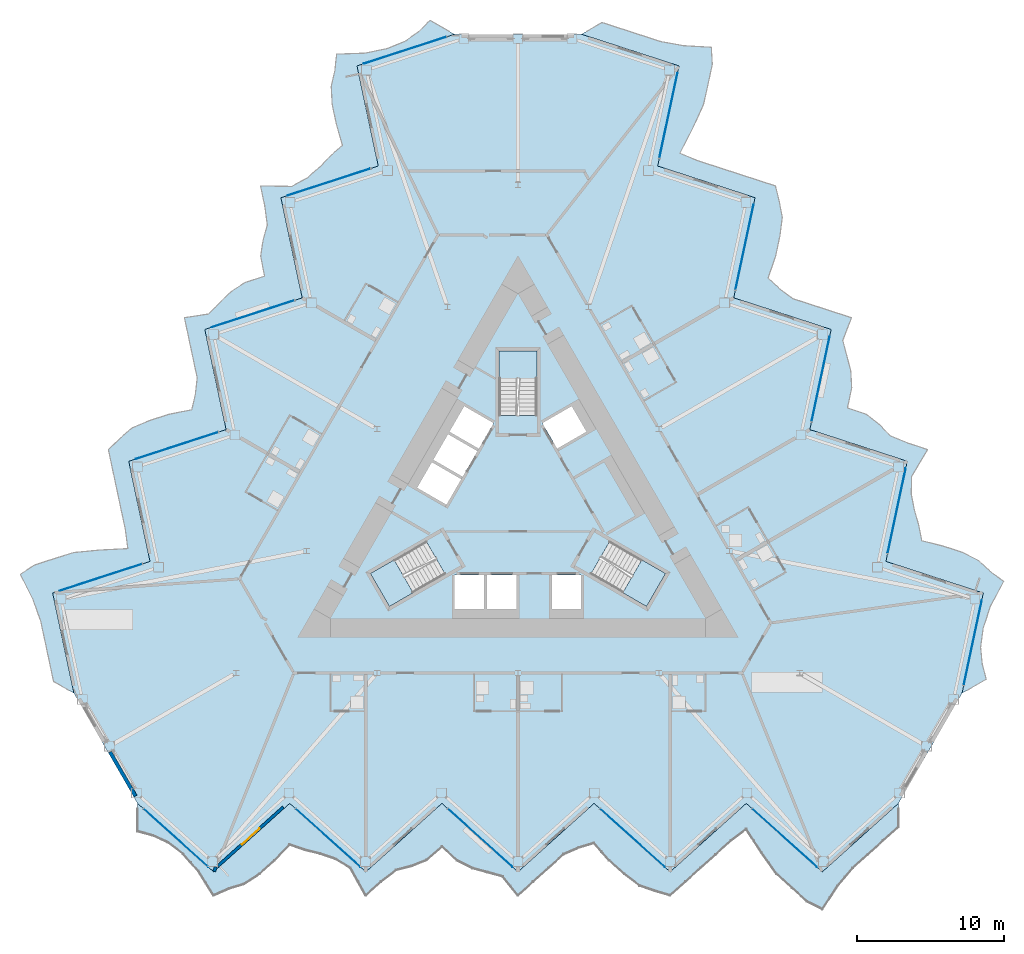
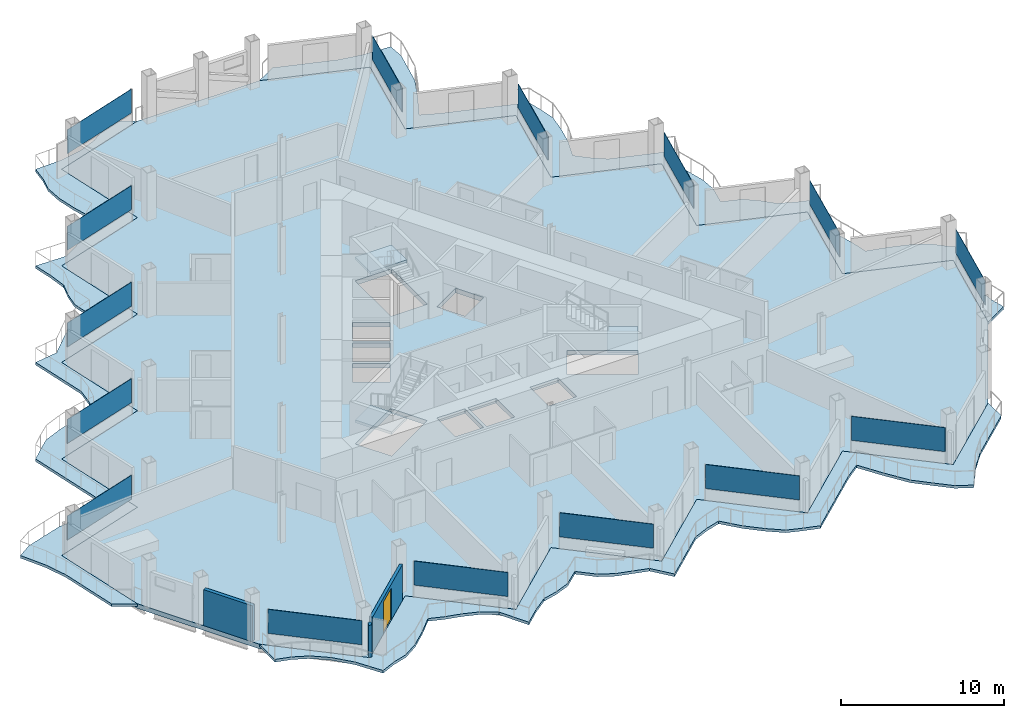
# One storey, part 10 of 24: 15 plates, 7 slabs, 3 walls, 1 door, 1 opening, 18 elements without a shape of their own.
"""IFC4 building model written with IfcOpenShell, lengths in metres."""

from ifc_helpers import new_model, si_unit, direction, frame, frame_2d, origin, origin_2d, place, context, subcontext, project, spatial, polyline, rectangle, outline, extrude, material, layer, layer_set, type_object, element, fill, aggregate, save


model = new_model("IFC4")

# Units and contexts
model_context = context("Model", 3, precision=1e-05, world=origin(), true_north=direction((0.0, 1.0)))
body_context = subcontext(model_context, "Body", "Model", "MODEL_VIEW")
ifc_project = project(units=[si_unit("LENGTHUNIT", "METRE"), si_unit("AREAUNIT", "SQUARE_METRE"), si_unit("VOLUMEUNIT", "CUBIC_METRE"), si_unit("PLANEANGLEUNIT", "RADIAN"), si_unit("MASSUNIT", "GRAM", prefix="KILO")], contexts=[model_context])

# Site, building, storey
site_placement = place(None, origin())
site = spatial("IfcSite", under=ifc_project, at=site_placement, CompositionType="ELEMENT")
building_placement = place(site_placement, origin())
building = spatial("IfcBuilding", under=site, at=building_placement, Name="Cormorant Prow Tower", CompositionType="ELEMENT")
storey_placement = place(building_placement, frame((0.0, 0.0, 238.199951171875)))
storey = spatial("IfcBuildingStorey", under=building, at=storey_placement, Name="L52", CompositionType="ELEMENT", Elevation=238.199951171875)

# Slabs
ifc_material_1 = material(Name="Concrete C40/50", Category="concrete")
ifc_layer_1 = layer(ifc_material_1, 0.199951171875)
ifc_layer_set_1 = layer_set([ifc_layer_1], Name="Concrete C40/50")
slab_type_1 = type_object("IfcSlabType", Name="Balcony slab 200", PredefinedType="FLOOR", material=ifc_layer_set_1)
slab_1_placement = place(storey_placement, frame((0.0, 0.0, -0.199951171875)))
element("IfcSlab", 1, at=slab_1_placement, inside=storey, type_object=slab_type_1, Name="Balcony slab S L52", PredefinedType="FLOOR", context=body_context, shape_type="SweptSolid", body=[
    extrude(outline(polyline([(-25.859619140625, -19.9228515625), (-25.859619140625, -21.82275390625), (-24.8251953125, -22.1044921875), (-23.790771484375, -22.575439453125), (-22.75634765625, -23.369873046875), (-21.721923828125, -24.52783203125), (-20.6875, -26.1796875), (-19.6533203125, -25.72021484375), (-18.618896484375, -25.407470703125), (-17.58447265625, -24.735595703125), (-16.550048828125, -23.80419921875), (-15.515625, -22.734375), (-14.4814453125, -23.08837890625), (-13.447021484375, -23.344970703125), (-12.41259765625, -23.700927734375), (-11.378173828125, -24.32373046875), (-10.34375, -26.1796875), (-9.309326171875, -25.248291015625), (-8.275146484375, -24.45166015625), (-7.24072265625, -24.1884765625), (-6.206298828125, -23.778564453125), (-5.171875, -22.872802734375), (-4.137451171875, -23.80419921875), (-3.10302734375, -24.32958984375), (-2.06884765625, -24.6103515625), (-1.034423828125, -24.892822265625), (0.0, -26.1796875), (1.034423828125, -25.248291015625), (2.06884765625, -24.31689453125), (3.10302734375, -23.385498046875), (4.137451171875, -22.932861328125), (5.171875, -22.618408203125), (6.206298828125, -23.80419921875), (7.24072265625, -24.735595703125), (8.275146484375, -25.52392578125), (9.309326171875, -25.8759765625), (10.34375, -26.1796875), (11.378173828125, -25.248291015625), (12.41259765625, -24.31689453125), (13.447021484375, -23.385498046875), (14.4814453125, -22.4541015625), (15.515625, -21.6640625), (16.550048828125, -23.26318359375), (17.58447265625, -24.7138671875), (18.618896484375, -25.6669921875), (19.6533203125, -26.598388671875), (20.6875, -27.117919921875), (21.721923828125, -25.534912109375), (22.75634765625, -24.31689453125), (23.790771484375, -23.385498046875), (24.8251953125, -22.4541015625), (25.859619140625, -21.52294921875), (25.859619140625, -19.9228515625), (24.8251953125, -20.854248046875), (23.790771484375, -21.78564453125), (22.75634765625, -22.717041015625), (21.721923828125, -23.648193359375), (20.6875, -24.57958984375), (19.6533203125, -23.648193359375), (18.618896484375, -22.717041015625), (17.58447265625, -21.78564453125), (16.550048828125, -20.854248046875), (15.515625, -19.9228515625), (14.4814453125, -20.854248046875), (13.447021484375, -21.78564453125), (12.41259765625, -22.717041015625), (11.378173828125, -23.648193359375), (10.34375, -24.57958984375), (9.309326171875, -23.648193359375), (8.275146484375, -22.717041015625), (7.24072265625, -21.78564453125), (6.206298828125, -20.854248046875), (5.171875, -19.9228515625), (4.137451171875, -20.854248046875), (3.10302734375, -21.78564453125), (2.06884765625, -22.717041015625), (1.034423828125, -23.648193359375), (0.0, -24.57958984375), (-1.034423828125, -23.648193359375), (-2.06884765625, -22.717041015625), (-3.10302734375, -21.78564453125), (-4.137451171875, -20.854248046875), (-5.171875, -19.9228515625), (-6.206298828125, -20.854248046875), (-7.24072265625, -21.78564453125), (-8.275146484375, -22.717041015625), (-9.309326171875, -23.648193359375), (-10.34375, -24.57958984375), (-11.378173828125, -23.648193359375), (-12.41259765625, -22.717041015625), (-13.447021484375, -21.78564453125), (-14.4814453125, -20.854248046875), (-15.515625, -19.9228515625), (-16.550048828125, -20.854248046875), (-17.58447265625, -21.78564453125), (-18.618896484375, -22.717041015625), (-19.6533203125, -23.648193359375), (-20.6875, -24.57958984375), (-21.721923828125, -23.648193359375), (-22.75634765625, -22.717041015625), (-23.790771484375, -21.78564453125), (-24.8251953125, -20.854248046875), (-25.859619140625, -19.9228515625)])), origin(), (0.0, 0.0, 1.0), 0.199951171875),
])
slab_2_placement = place(storey_placement, frame((0.0, 0.0, -0.199951171875)))
element("IfcSlab", 2, at=slab_2_placement, inside=storey, type_object=slab_type_1, Name="Balcony slab ENE L52", PredefinedType="FLOOR", context=body_context, shape_type="SweptSolid", body=[
    extrude(outline(polyline([(30.183349609375, -12.43359375), (31.828857421875, -11.483642578125), (31.5556640625, -10.447021484375), (31.4462890625, -9.315673828125), (31.6171875, -8.022705078125), (32.1025390625, -6.5478515625), (33.01611328125, -4.826171875), (32.10107421875, -4.16015625), (31.312744140625, -3.420654296875), (30.2138671875, -2.86083984375), (28.89013671875, -2.4306640625), (27.446533203125, -2.06982421875), (27.23583984375, -0.9970703125), (26.94091796875, 0.027099609375), (26.731689453125, 1.100830078125), (26.75390625, 2.30810546875), (27.84423828125, 4.1318359375), (26.520263671875, 4.56201171875), (25.313232421875, 5.059326171875), (24.568115234375, 5.823486328125), (23.696044921875, 6.514404296875), (22.39453125, 6.95751953125), (22.683837890625, 8.31884765625), (22.62158203125, 9.477294921875), (22.347412109375, 10.513427734375), (22.074951171875, 11.550537109375), (22.67236328125, 13.08984375), (21.348388671875, 13.52001953125), (20.024658203125, 13.949951171875), (18.700927734375, 14.380126953125), (17.79150390625, 15.049560546875), (17.002197265625, 15.788330078125), (17.511962890625, 17.27685546875), (17.80126953125, 18.638427734375), (17.966796875, 19.928466796875), (17.754638671875, 21.000244140625), (17.500244140625, 22.0478515625), (16.176513671875, 22.47802734375), (14.852783203125, 22.907958984375), (13.529052734375, 23.338134765625), (12.205322265625, 23.768310546875), (11.00390625, 24.26904296875), (11.871337890625, 25.96435546875), (12.610595703125, 27.58544921875), (12.918701171875, 28.957763671875), (13.208251953125, 30.3193359375), (13.14111328125, 31.474853515625), (11.2529296875, 31.579345703125), (9.680908203125, 31.865966796875), (8.357177734375, 32.296142578125), (7.033447265625, 32.726318359375), (5.70947265625, 33.156494140625), (4.323974609375, 32.3564453125), (5.647705078125, 31.92626953125), (6.971435546875, 31.49609375), (8.295166015625, 31.066162109375), (9.619140625, 30.635986328125), (10.94287109375, 30.205810546875), (10.6533203125, 28.84423828125), (10.364013671875, 27.48291015625), (10.07470703125, 26.121337890625), (9.78515625, 24.760009765625), (9.495849609375, 23.3984375), (10.819580078125, 22.96826171875), (12.143310546875, 22.5380859375), (13.467041015625, 22.108154296875), (14.791015625, 21.677978515625), (16.11474609375, 21.247802734375), (15.8251953125, 19.88623046875), (15.535888671875, 18.52490234375), (15.24658203125, 17.163330078125), (14.95703125, 15.802001953125), (14.667724609375, 14.4404296875), (15.991455078125, 14.01025390625), (17.315185546875, 13.580078125), (18.63916015625, 13.150146484375), (19.962890625, 12.719970703125), (21.28662109375, 12.289794921875), (20.997314453125, 10.928466796875), (20.707763671875, 9.56689453125), (20.41845703125, 8.205322265625), (20.129150390625, 6.843994140625), (19.839599609375, 5.482421875), (21.163330078125, 5.05224609375), (22.4873046875, 4.6220703125), (23.81103515625, 4.192138671875), (25.134765625, 3.761962890625), (26.45849609375, 3.331787109375), (26.169189453125, 1.970458984375), (25.879638671875, 0.60888671875), (25.59033203125, -0.752685546875), (25.301025390625, -2.114013671875), (25.011474609375, -3.4755859375), (26.335205078125, -3.90576171875), (27.6591796875, -4.335693359375), (28.98291015625, -4.765869140625), (30.306640625, -5.196044921875), (31.63037109375, -5.626220703125), (31.341064453125, -6.987548828125), (31.051513671875, -8.34912109375), (30.76220703125, -9.710693359375), (30.472900390625, -11.072021484375), (30.183349609375, -12.43359375)])), origin(), (0.0, 0.0, 1.0), 0.199951171875),
])
slab_3_placement = place(storey_placement, frame((0.0, 0.0, -0.199951171875)))
element("IfcSlab", 3, at=slab_3_placement, inside=storey, type_object=slab_type_1, Name="Balcony slab WNW L52", PredefinedType="FLOOR", context=body_context, shape_type="SweptSolid", body=[
    extrude(outline(polyline([(-4.323974609375, 32.3564453125), (-5.969482421875, 33.306396484375), (-6.73046875, 32.551513671875), (-7.655517578125, 31.89111328125), (-8.86083984375, 31.392578125), (-10.380615234375, 31.07568359375), (-12.328369140625, 31.005859375), (-12.44775390625, 29.88037109375), (-12.694091796875, 28.828125), (-12.62939453125, 27.596435546875), (-12.340087890625, 26.23486328125), (-11.9306640625, 24.80419921875), (-12.75439453125, 24.08544921875), (-13.493896484375, 23.31787109375), (-14.3193359375, 22.60009765625), (-15.375732421875, 22.015625), (-17.500244140625, 22.0478515625), (-17.2109375, 20.686279296875), (-17.0380859375, 19.39208984375), (-17.327392578125, 18.36474609375), (-17.48974609375, 17.26416015625), (-17.222412109375, 15.91552734375), (-18.54638671875, 15.4853515625), (-19.5185546875, 14.852294921875), (-20.27880859375, 14.0966796875), (-21.040771484375, 13.34228515625), (-22.67236328125, 13.08984375), (-22.3828125, 11.728271484375), (-22.093505859375, 10.366943359375), (-21.803955078125, 9.00537109375), (-21.92919921875, 7.88330078125), (-22.174072265625, 6.830322265625), (-23.71826171875, 6.52734375), (-25.0419921875, 6.09716796875), (-26.241943359375, 5.595458984375), (-27.06396484375, 4.875732421875), (-27.84423828125, 4.1318359375), (-27.5546875, 2.770263671875), (-27.265380859375, 1.408935546875), (-26.97607421875, 0.04736328125), (-26.6865234375, -1.314208984375), (-26.51953125, -2.60498046875), (-28.42138671875, -2.701171875), (-30.195068359375, -2.871826171875), (-31.53759765625, -3.291015625), (-32.861328125, -3.720947265625), (-33.82861328125, -4.35693359375), (-32.974853515625, -6.04443359375), (-32.437255859375, -7.549072265625), (-32.14794921875, -8.91064453125), (-31.8583984375, -10.27197265625), (-31.569091796875, -11.633544921875), (-30.183349609375, -12.43359375), (-30.472900390625, -11.072021484375), (-30.76220703125, -9.710693359375), (-31.051513671875, -8.34912109375), (-31.341064453125, -6.987548828125), (-31.63037109375, -5.626220703125), (-30.306640625, -5.196044921875), (-28.98291015625, -4.765869140625), (-27.6591796875, -4.335693359375), (-26.335205078125, -3.90576171875), (-25.011474609375, -3.4755859375), (-25.301025390625, -2.114013671875), (-25.59033203125, -0.752685546875), (-25.879638671875, 0.60888671875), (-26.169189453125, 1.970458984375), (-26.45849609375, 3.331787109375), (-25.134765625, 3.761962890625), (-23.81103515625, 4.192138671875), (-22.4873046875, 4.6220703125), (-21.163330078125, 5.05224609375), (-19.839599609375, 5.482421875), (-20.129150390625, 6.843994140625), (-20.41845703125, 8.205322265625), (-20.707763671875, 9.56689453125), (-20.997314453125, 10.928466796875), (-21.28662109375, 12.289794921875), (-19.962890625, 12.719970703125), (-18.63916015625, 13.150146484375), (-17.315185546875, 13.580078125), (-15.991455078125, 14.01025390625), (-14.667724609375, 14.4404296875), (-14.95703125, 15.802001953125), (-15.24658203125, 17.163330078125), (-15.535888671875, 18.52490234375), (-15.8251953125, 19.88623046875), (-16.11474609375, 21.247802734375), (-14.791015625, 21.677978515625), (-13.467041015625, 22.108154296875), (-12.143310546875, 22.5380859375), (-10.819580078125, 22.96826171875), (-9.495849609375, 23.3984375), (-9.78515625, 24.760009765625), (-10.07470703125, 26.121337890625), (-10.364013671875, 27.48291015625), (-10.6533203125, 28.84423828125), (-10.94287109375, 30.205810546875), (-9.619140625, 30.635986328125), (-8.295166015625, 31.066162109375), (-6.971435546875, 31.49609375), (-5.647705078125, 31.92626953125), (-4.323974609375, 32.3564453125)])), origin(), (0.0, 0.0, 1.0), 0.199951171875),
])

# Curtain wall, plate
ifc_material_2 = material(Name="Aluminium 6063-T6", Category="aluminium")
ifc_layer_2 = layer(ifc_material_2, 0.179931640625)
ifc_layer_set_2 = layer_set([ifc_layer_2], Name="Aluminium 6063-T6")
curtain_wall_type = type_object("IfcCurtainWallType", Name="Hotel unitised curtain wall 180", PredefinedType="NOTDEFINED", material=ifc_layer_set_2)
curtain_wall_1_placement = place(storey_placement, origin())
curtain_wall_1 = element("IfcCurtainWall", 4, at=curtain_wall_1_placement, inside=storey, type_object=curtain_wall_type, Name="Hotel curtain wall S00", PredefinedType="NOTDEFINED")
ifc_material_3 = material(Name="Clear glass", Category="glass")
ifc_layer_3 = layer(ifc_material_3, 0.028076171875)
ifc_layer_set_3 = layer_set([ifc_layer_3], Name="Clear glass")
plate_type = type_object("IfcPlateType", Name="Hotel glass panel 28", PredefinedType="CURTAIN_PANEL", material=ifc_layer_set_3)
plate_1_placement = place(storey_placement, frame((-23.251220703125, -22.271240234375, 0.900146484375), z_axis=(0.0, 0.0, 1.0), x_axis=(0.743144795265, -0.669130639913, 0.0)))
plate_1 = element("IfcPlate", 5, at=plate_1_placement, type_object=plate_type, Name="Hotel glass panel S00", PredefinedType="CURTAIN_PANEL", context=body_context, shape_type="SweptSolid", body=[
    extrude(rectangle(XDim=5.8974609375, YDim=0.028076171875, at=origin_2d()), origin(), (0.0, 0.0, 1.0), 1.80078125),
])
aggregate(curtain_wall_1, [plate_1])

curtain_wall_2_placement = place(storey_placement, origin())
curtain_wall_2 = element("IfcCurtainWall", 6, at=curtain_wall_2_placement, inside=storey, type_object=curtain_wall_type, Name="Hotel curtain wall S02", PredefinedType="NOTDEFINED")
plate_2_placement = place(storey_placement, frame((-12.907470703125, -22.271240234375, 0.900146484375), z_axis=(0.0, 0.0, 1.0), x_axis=(0.743144795265, -0.669130639913, 0.0)))
plate_2 = element("IfcPlate", 7, at=plate_2_placement, type_object=plate_type, Name="Hotel glass panel S02", PredefinedType="CURTAIN_PANEL", context=body_context, shape_type="SweptSolid", body=[
    extrude(rectangle(XDim=5.8974609375, YDim=0.028076171875, at=origin_2d()), origin(), (0.0, 0.0, 1.0), 1.80078125),
])
aggregate(curtain_wall_2, [plate_2])

curtain_wall_3_placement = place(storey_placement, origin())
curtain_wall_3 = element("IfcCurtainWall", 8, at=curtain_wall_3_placement, inside=storey, type_object=curtain_wall_type, Name="Hotel curtain wall S04", PredefinedType="NOTDEFINED")
plate_3_placement = place(storey_placement, frame((-2.563720703125, -22.271240234375, 0.900146484375), z_axis=(0.0, 0.0, 1.0), x_axis=(0.74314485959, -0.669130568473, 0.0)))
plate_3 = element("IfcPlate", 9, at=plate_3_placement, type_object=plate_type, Name="Hotel glass panel S04", PredefinedType="CURTAIN_PANEL", context=body_context, shape_type="SweptSolid", body=[
    extrude(rectangle(XDim=5.8974609375, YDim=0.028076171875, at=origin_2d()), origin(), (0.0, 0.0, 1.0), 1.80078125),
])
aggregate(curtain_wall_3, [plate_3])

curtain_wall_4_placement = place(storey_placement, origin())
curtain_wall_4 = element("IfcCurtainWall", 10, at=curtain_wall_4_placement, inside=storey, type_object=curtain_wall_type, Name="Hotel curtain wall S06", PredefinedType="NOTDEFINED")
plate_4_placement = place(storey_placement, frame((7.780029296875, -22.271240234375, 0.900146484375), z_axis=(0.0, 0.0, 1.0), x_axis=(0.743144795265, -0.669130639913, 0.0)))
plate_4 = element("IfcPlate", 11, at=plate_4_placement, type_object=plate_type, Name="Hotel glass panel S06", PredefinedType="CURTAIN_PANEL", context=body_context, shape_type="SweptSolid", body=[
    extrude(rectangle(XDim=5.8974609375, YDim=0.028076171875, at=origin_2d()), origin(), (0.0, 0.0, 1.0), 1.80078125),
])
aggregate(curtain_wall_4, [plate_4])

curtain_wall_5_placement = place(storey_placement, origin())
curtain_wall_5 = element("IfcCurtainWall", 12, at=curtain_wall_5_placement, inside=storey, type_object=curtain_wall_type, Name="Hotel curtain wall S08", PredefinedType="NOTDEFINED")
plate_5_placement = place(storey_placement, frame((18.1240234375, -22.271240234375, 0.900146484375), z_axis=(0.0, 0.0, 1.0), x_axis=(0.74314485959, -0.669130568473, 0.0)))
plate_5 = element("IfcPlate", 13, at=plate_5_placement, type_object=plate_type, Name="Hotel glass panel S08", PredefinedType="CURTAIN_PANEL", context=body_context, shape_type="SweptSolid", body=[
    extrude(rectangle(XDim=5.8974609375, YDim=0.028076171875, at=origin_2d()), origin(), (0.0, 0.0, 1.0), 1.80078125),
])
aggregate(curtain_wall_5, [plate_5])

curtain_wall_6_placement = place(storey_placement, origin())
curtain_wall_6 = element("IfcCurtainWall", 14, at=curtain_wall_6_placement, inside=storey, type_object=curtain_wall_type, Name="Hotel curtain wall ENE00", PredefinedType="NOTDEFINED")
plate_6_placement = place(storey_placement, frame((30.9130859375, -9.00048828125, 0.900146484375), z_axis=(0.0, 0.0, 1.0), x_axis=(0.207911646089, 0.978147610241, 0.0)))
plate_6 = element("IfcPlate", 15, at=plate_6_placement, type_object=plate_type, Name="Hotel glass panel ENE00", PredefinedType="CURTAIN_PANEL", context=body_context, shape_type="SweptSolid", body=[
    extrude(rectangle(XDim=5.8974609375, YDim=0.028076171875, at=origin_2d()), origin(), (0.0, 0.0, 1.0), 1.80078125),
])
aggregate(curtain_wall_6, [plate_6])

curtain_wall_7_placement = place(storey_placement, origin())
curtain_wall_7 = element("IfcCurtainWall", 16, at=curtain_wall_7_placement, inside=storey, type_object=curtain_wall_type, Name="Hotel curtain wall ENE02", PredefinedType="NOTDEFINED")
plate_7_placement = place(storey_placement, frame((25.7412109375, -0.04248046875, 0.900146484375), z_axis=(0.0, 0.0, 1.0), x_axis=(0.207911783569, 0.978147581019, 0.0)))
plate_7 = element("IfcPlate", 17, at=plate_7_placement, type_object=plate_type, Name="Hotel glass panel ENE02", PredefinedType="CURTAIN_PANEL", context=body_context, shape_type="SweptSolid", body=[
    extrude(rectangle(XDim=5.8974609375, YDim=0.028076171875, at=origin_2d()), origin(), (0.0, 0.0, 1.0), 1.80078125),
])
aggregate(curtain_wall_7, [plate_7])

curtain_wall_8_placement = place(storey_placement, origin())
curtain_wall_8 = element("IfcCurtainWall", 18, at=curtain_wall_8_placement, inside=storey, type_object=curtain_wall_type, Name="Hotel curtain wall ENE04", PredefinedType="NOTDEFINED")
plate_8_placement = place(storey_placement, frame((20.5693359375, 8.91552734375, 0.900146484375), z_axis=(0.0, 0.0, 1.0), x_axis=(0.207911675316, 0.978147604029, 0.0)))
plate_8 = element("IfcPlate", 19, at=plate_8_placement, type_object=plate_type, Name="Hotel glass panel ENE04", PredefinedType="CURTAIN_PANEL", context=body_context, shape_type="SweptSolid", body=[
    extrude(rectangle(XDim=5.8974609375, YDim=0.028076171875, at=origin_2d()), origin(), (0.0, 0.0, 1.0), 1.80078125),
])
aggregate(curtain_wall_8, [plate_8])

curtain_wall_9_placement = place(storey_placement, origin())
curtain_wall_9 = element("IfcCurtainWall", 20, at=curtain_wall_9_placement, inside=storey, type_object=curtain_wall_type, Name="Hotel curtain wall ENE06", PredefinedType="NOTDEFINED")
plate_9_placement = place(storey_placement, frame((15.3974609375, 17.87353515625, 0.900146484375), z_axis=(0.0, 0.0, 1.0), x_axis=(0.207911812796, 0.978147574806, 0.0)))
plate_9 = element("IfcPlate", 21, at=plate_9_placement, type_object=plate_type, Name="Hotel glass panel ENE06", PredefinedType="CURTAIN_PANEL", context=body_context, shape_type="SweptSolid", body=[
    extrude(rectangle(XDim=5.8974609375, YDim=0.028076171875, at=origin_2d()), origin(), (0.0, 0.0, 1.0), 1.80078125),
])
aggregate(curtain_wall_9, [plate_9])

curtain_wall_10_placement = place(storey_placement, origin())
curtain_wall_10 = element("IfcCurtainWall", 22, at=curtain_wall_10_placement, inside=storey, type_object=curtain_wall_type, Name="Hotel curtain wall ENE08", PredefinedType="NOTDEFINED")
plate_10_placement = place(storey_placement, frame((10.2255859375, 26.83154296875, 0.900146484375), z_axis=(0.0, 0.0, 1.0), x_axis=(0.207911646089, 0.978147610241, 0.0)))
plate_10 = element("IfcPlate", 23, at=plate_10_placement, type_object=plate_type, Name="Hotel glass panel ENE08", PredefinedType="CURTAIN_PANEL", context=body_context, shape_type="SweptSolid", body=[
    extrude(rectangle(XDim=5.8974609375, YDim=0.028076171875, at=origin_2d()), origin(), (0.0, 0.0, 1.0), 1.80078125),
])
aggregate(curtain_wall_10, [plate_10])

curtain_wall_11_placement = place(storey_placement, origin())
curtain_wall_11 = element("IfcCurtainWall", 24, at=curtain_wall_11_placement, inside=storey, type_object=curtain_wall_type, Name="Hotel curtain wall WNW00", PredefinedType="NOTDEFINED")
plate_11_placement = place(storey_placement, frame((-7.661865234375, 31.271728515625, 0.900146484375), z_axis=(0.0, 0.0, 1.0), x_axis=(-0.951056530264, -0.309016951383, 0.0)))
plate_11 = element("IfcPlate", 25, at=plate_11_placement, type_object=plate_type, Name="Hotel glass panel WNW00", PredefinedType="CURTAIN_PANEL", context=body_context, shape_type="SweptSolid", body=[
    extrude(rectangle(XDim=5.8974609375, YDim=0.028076171875, at=origin_2d()), origin(), (0.0, 0.0, 1.0), 1.80078125),
])
aggregate(curtain_wall_11, [plate_11])

curtain_wall_12_placement = place(storey_placement, origin())
curtain_wall_12 = element("IfcCurtainWall", 26, at=curtain_wall_12_placement, inside=storey, type_object=curtain_wall_type, Name="Hotel curtain wall WNW02", PredefinedType="NOTDEFINED")
plate_12_placement = place(storey_placement, frame((-12.833740234375, 22.31396484375, 0.900146484375), z_axis=(0.0, 0.0, 1.0), x_axis=(-0.951056501755, -0.309017039126, 0.0)))
plate_12 = element("IfcPlate", 27, at=plate_12_placement, type_object=plate_type, Name="Hotel glass panel WNW02", PredefinedType="CURTAIN_PANEL", context=body_context, shape_type="SweptSolid", body=[
    extrude(rectangle(XDim=5.8974609375, YDim=0.028076171875, at=origin_2d()), origin(), (0.0, 0.0, 1.0), 1.80078125),
])
aggregate(curtain_wall_12, [plate_12])

curtain_wall_13_placement = place(storey_placement, origin())
curtain_wall_13 = element("IfcCurtainWall", 28, at=curtain_wall_13_placement, inside=storey, type_object=curtain_wall_type, Name="Hotel curtain wall WNW04", PredefinedType="NOTDEFINED")
plate_13_placement = place(storey_placement, frame((-18.005615234375, 13.35595703125, 0.900146484375), z_axis=(0.0, 0.0, 1.0), x_axis=(-0.951056501755, -0.309017039126, 0.0)))
plate_13 = element("IfcPlate", 29, at=plate_13_placement, type_object=plate_type, Name="Hotel glass panel WNW04", PredefinedType="CURTAIN_PANEL", context=body_context, shape_type="SweptSolid", body=[
    extrude(rectangle(XDim=5.8974609375, YDim=0.028076171875, at=origin_2d()), origin(), (0.0, 0.0, 1.0), 1.80078125),
])
aggregate(curtain_wall_13, [plate_13])

curtain_wall_14_placement = place(storey_placement, origin())
curtain_wall_14 = element("IfcCurtainWall", 30, at=curtain_wall_14_placement, inside=storey, type_object=curtain_wall_type, Name="Hotel curtain wall WNW06", PredefinedType="NOTDEFINED")
plate_14_placement = place(storey_placement, frame((-23.177490234375, 4.39794921875, 0.900146484375), z_axis=(0.0, 0.0, 1.0), x_axis=(-0.951056501755, -0.309017039126, 0.0)))
plate_14 = element("IfcPlate", 31, at=plate_14_placement, type_object=plate_type, Name="Hotel glass panel WNW06", PredefinedType="CURTAIN_PANEL", context=body_context, shape_type="SweptSolid", body=[
    extrude(rectangle(XDim=5.8974609375, YDim=0.028076171875, at=origin_2d()), origin(), (0.0, 0.0, 1.0), 1.80078125),
])
aggregate(curtain_wall_14, [plate_14])

curtain_wall_15_placement = place(storey_placement, origin())
curtain_wall_15 = element("IfcCurtainWall", 32, at=curtain_wall_15_placement, inside=storey, type_object=curtain_wall_type, Name="Hotel curtain wall WNW08", PredefinedType="NOTDEFINED")
plate_15_placement = place(storey_placement, frame((-28.349609375, -4.56005859375, 0.900146484375), z_axis=(0.0, 0.0, 1.0), x_axis=(-0.951056530264, -0.309016951383, 0.0)))
plate_15 = element("IfcPlate", 33, at=plate_15_placement, type_object=plate_type, Name="Hotel glass panel WNW08", PredefinedType="CURTAIN_PANEL", context=body_context, shape_type="SweptSolid", body=[
    extrude(rectangle(XDim=5.8974609375, YDim=0.028076171875, at=origin_2d()), origin(), (0.0, 0.0, 1.0), 1.80078125),
])
aggregate(curtain_wall_15, [plate_15])

# Slab
ifc_material_4 = material(Name="Concrete C40/50", Category="concrete")
ifc_layer_4 = layer(ifc_material_4, 0.35009765625)
ifc_layer_set_4 = layer_set([ifc_layer_4], Name="Concrete C40/50")
slab_type_2 = type_object("IfcSlabType", Name="Post-tensioned flat slab 350", PredefinedType="FLOOR", material=ifc_layer_set_4)
slab_4_placement = place(storey_placement, frame((0.0, 0.0, -0.349853515625)))
element("IfcSlab", 34, at=slab_4_placement, inside=storey, type_object=slab_type_2, Name="Floor slab L52", PredefinedType="FLOOR", context=body_context, shape_type="SweptSolid", body=[
    extrude(outline(polyline([(-9.495849609375, 23.3984375), (-16.11474609375, 21.247802734375), (-14.667724609375, 14.4404296875), (-21.28662109375, 12.289794921875), (-19.839599609375, 5.482421875), (-26.45849609375, 3.331787109375), (-25.011474609375, -3.4755859375), (-31.63037109375, -5.626220703125), (-30.183349609375, -12.43359375), (-28.021484375, -16.17822265625), (-25.859619140625, -19.9228515625), (-20.6875, -24.57958984375), (-15.515625, -19.9228515625), (-10.34375, -24.57958984375), (-5.171875, -19.9228515625), (0.0, -24.57958984375), (5.171875, -19.9228515625), (10.34375, -24.57958984375), (15.515625, -19.9228515625), (20.6875, -24.57958984375), (25.859619140625, -19.9228515625), (28.021484375, -16.17822265625), (30.183349609375, -12.43359375), (31.63037109375, -5.626220703125), (25.011474609375, -3.4755859375), (26.45849609375, 3.331787109375), (19.839599609375, 5.482421875), (21.28662109375, 12.289794921875), (14.667724609375, 14.4404296875), (16.11474609375, 21.247802734375), (9.495849609375, 23.3984375), (10.94287109375, 30.205810546875), (4.323974609375, 32.3564453125), (0.0, 32.3564453125), (-4.323974609375, 32.3564453125), (-10.94287109375, 30.205810546875), (-9.495849609375, 23.3984375)]), holes=[polyline([(-4.300048828125, -4.39990234375), (-2.300048828125, -4.39990234375), (-2.300048828125, -6.699951171875), (-4.300048828125, -6.699951171875), (-4.300048828125, -4.39990234375)]), polyline([(-0.10009765625, -4.39990234375), (-0.10009765625, -6.699951171875), (-2.10009765625, -6.699951171875), (-2.10009765625, -4.39990234375), (-0.10009765625, -4.39990234375)]), polyline([(4.300048828125, -6.699951171875), (2.300048828125, -6.699951171875), (2.300048828125, -4.39990234375), (4.300048828125, -4.39990234375), (4.300048828125, -6.699951171875)]), polyline([(4.65234375, 5.341796875), (2.660400390625, 4.19189453125), (1.660400390625, 5.923828125), (3.65234375, 7.073974609375), (4.65234375, 5.341796875)]), polyline([(-1.660400390625, 5.923828125), (-2.660400390625, 4.19189453125), (-4.65234375, 5.341796875), (-3.65234375, 7.073974609375), (-1.660400390625, 5.923828125)]), polyline([(-3.760498046875, 2.28662109375), (-5.75244140625, 3.4365234375), (-4.75244140625, 5.168701171875), (-2.760498046875, 4.018798828125), (-3.760498046875, 2.28662109375)]), polyline([(-6.852294921875, 1.53125), (-5.852294921875, 3.263427734375), (-3.860595703125, 2.11328125), (-4.860595703125, 0.38134765625), (-6.852294921875, 1.53125)]), polyline([(-4.947509765625, -4.3505859375), (-8.738037109375, -6.5390625), (-10.031982421875, -4.2978515625), (-6.241455078125, -2.109375), (-4.947509765625, -4.3505859375)]), polyline([(10.031982421875, -4.2978515625), (8.738037109375, -6.5390625), (4.947509765625, -4.3505859375), (6.241455078125, -2.109375), (10.031982421875, -4.2978515625)]), polyline([(1.2939453125, 10.8369140625), (1.2939453125, 6.459716796875), (-1.2939453125, 6.459716796875), (-1.2939453125, 10.8369140625), (1.2939453125, 10.8369140625)])]), origin(), (0.0, 0.0, 1.0), 0.349853515625),
])

# Stair, slab
ifc_material_5 = material(Name="Exit stair 20 risers")
stair_type = type_object("IfcStairType", Name="Exit stair 20 risers", PredefinedType="HALF_TURN_STAIR", material=ifc_material_5)
stair_1_placement = place(storey_placement, origin())
stair_1 = element("IfcStair", 35, at=stair_1_placement, inside=storey, type_object=stair_type, Name="L52 Exit stair ST1", PredefinedType="HALF_TURN_STAIR")
ifc_material_6 = material(Name="Concrete 5000 psi", Category="concrete")
ifc_layer_5 = layer(ifc_material_6, 0.199951171875)
ifc_layer_set_5 = layer_set([ifc_layer_5], Name="Concrete 5000 psi")
slab_type_3 = type_object("IfcSlabType", Name="Stair landing 200", PredefinedType="LANDING", material=ifc_layer_set_5)
slab_5_placement = place(storey_placement, frame((0.0, 0.0, 1.60009765625)))
slab_5 = element("IfcSlab", 36, at=slab_5_placement, type_object=slab_type_3, Name="ST1 landing 1", PredefinedType="LANDING", context=body_context, shape_type="SweptSolid", body=[
    extrude(outline(polyline([(-8.416748046875, -3.365234375), (-10.031982421875, -4.2978515625), (-8.738037109375, -6.5390625), (-7.122802734375, -5.6064453125), (-8.416748046875, -3.365234375)])), origin(), (0.0, 0.0, 1.0), 0.199951171875),
])
aggregate(stair_1, [slab_5])

stair_2_placement = place(storey_placement, origin())
stair_2 = element("IfcStair", 37, at=stair_2_placement, inside=storey, type_object=stair_type, Name="L52 Exit stair ST2", PredefinedType="HALF_TURN_STAIR")
slab_6_placement = place(storey_placement, frame((0.0, 0.0, 1.60009765625)))
slab_6 = element("IfcSlab", 38, at=slab_6_placement, type_object=slab_type_3, Name="ST2 landing 1", PredefinedType="LANDING", context=body_context, shape_type="SweptSolid", body=[
    extrude(outline(polyline([(7.122802734375, -5.6064453125), (8.738037109375, -6.5390625), (10.031982421875, -4.2978515625), (8.416748046875, -3.365234375), (7.122802734375, -5.6064453125)])), origin(), (0.0, 0.0, 1.0), 0.199951171875),
])
aggregate(stair_2, [slab_6])

stair_3_placement = place(storey_placement, origin())
stair_3 = element("IfcStair", 39, at=stair_3_placement, inside=storey, type_object=stair_type, Name="L52 Exit stair ST3", PredefinedType="HALF_TURN_STAIR")
slab_7_placement = place(storey_placement, frame((0.0, 0.0, 1.60009765625)))
slab_7 = element("IfcSlab", 40, at=slab_7_placement, type_object=slab_type_3, Name="ST3 landing 1", PredefinedType="LANDING", context=body_context, shape_type="SweptSolid", body=[
    extrude(outline(polyline([(1.2939453125, 8.971923828125), (1.2939453125, 10.8369140625), (-1.2939453125, 10.8369140625), (-1.2939453125, 8.971923828125), (1.2939453125, 8.971923828125)])), origin(), (0.0, 0.0, 1.0), 0.199951171875),
])
aggregate(stair_3, [slab_7])

# Walls
ifc_material_7 = material(Name="Gypsum board demising wall")
ifc_layer_6 = layer(ifc_material_7, 0.199951171875)
ifc_layer_set_6 = layer_set([ifc_layer_6], Name="Gypsum board demising wall")
wall_type_1 = type_object("IfcWallType", Name="Demising wall 200", PredefinedType="PARTITIONING", material=ifc_layer_set_6)
wall_1_placement = place(storey_placement, frame((-20.656005859375, -24.55126953125, 0.0), z_axis=(0.0, 0.0, 1.0), x_axis=(0.372801499492, 0.927911117498, 0.0)))
element("IfcWall", 41, at=wall_1_placement, inside=storey, type_object=wall_type_1, Name="Demising wall", PredefinedType="PARTITIONING", context=body_context, shape_type="SweptSolid", body=[
    extrude(rectangle(XDim=0.328125, YDim=0.199951171875, at=frame_2d((0.1640625, 0.0))), origin(), (0.0, 0.0, 1.0), 2.404296875),
])
ifc_material_8 = material(Name="Terracotta", Category="masonry")
ifc_layer_7 = layer(ifc_material_8, 0.25)
ifc_layer_set_7 = layer_set([ifc_layer_7], Name="Terracotta")
wall_type_2 = type_object("IfcWallType", Name="Terracotta bay wall 250", PredefinedType="SOLIDWALL", material=ifc_layer_set_7)
wall_2_placement = place(storey_placement, frame((-27.727783203125, -16.436767578125, 0.0), z_axis=(0.0, 0.0, 1.0), x_axis=(0.499987726745, -0.866032489635, 0.0)))
element("IfcWall", 42, at=wall_2_placement, inside=storey, type_object=wall_type_2, Name="Terracotta bay wall WSW01", PredefinedType="SOLIDWALL", context=body_context, shape_type="SweptSolid", body=[
    extrude(rectangle(XDim=3.4521484375, YDim=0.25, at=frame_2d((1.72607421875, 0.0))), origin(), (0.0, 0.0, 1.0), 2.700927734375),
])

# Wall, opening, door
ifc_material_9 = material(Name="Terracotta", Category="masonry")
ifc_layer_8 = layer(ifc_material_9, 0.199951171875)
ifc_layer_set_8 = layer_set([ifc_layer_8], Name="Terracotta")
wall_type_3 = type_object("IfcWallType", Name="Terracotta jamb wall 200", PredefinedType="SOLIDWALL", material=ifc_layer_set_8)
wall_3_placement = place(storey_placement, frame((-20.38232421875, -24.170166015625, 0.0), z_axis=(0.0, 0.0, 1.0), x_axis=(0.743161684399, 0.669111882155, 0.0)))
wall_3 = element("IfcWall", 43, at=wall_3_placement, inside=storey, type_object=wall_type_3, Name="Terracotta jamb wall S01", PredefinedType="SOLIDWALL", context=body_context, shape_type="SweptSolid", body=[
    extrude(rectangle(XDim=5.95751953125, YDim=0.199951171875, at=frame_2d((2.978759765625, 0.0))), origin(), (0.0, 0.0, 1.0), 2.700927734375),
])
opening_placement = place(wall_3_placement, frame((2.1787109375, 0.0, 0.0)))
opening = element("IfcOpeningElement", 44, at=opening_placement, cuts=wall_3, Name="Opening ED52.01", PredefinedType="OPENING", context=body_context, shape_type="SweptSolid", body=[
    extrude(rectangle(XDim=1.60009765625, YDim=2.39990234375, at=frame_2d((0.800048828125, 1.199951171875))), frame((0.0, 0.10986328125, 0.0), z_axis=(0.0, -1.0, 0.0), x_axis=(1.0, 0.0, 0.0)), (0.0, 0.0, 1.0), 0.219970703125),
])
ifc_material_10 = material(Name="Aluminium 6063-T6", Category="aluminium")
door_type = type_object("IfcDoorType", Name="Balcony door 1600x2400", OperationType="DOUBLE_DOOR_SINGLE_SWING", PredefinedType="DOOR", material=ifc_material_10)
door_placement = place(opening_placement, origin())
door = element("IfcDoor", 45, at=door_placement, inside=storey, type_object=door_type, Name="Balcony door S01 ED52.01", OperationType="DOUBLE_DOOR_SINGLE_SWING", OverallHeight=2.39990234375, OverallWidth=1.60009765625, PredefinedType="DOOR", context=body_context, shape_type="SweptSolid", body=[
    extrude(rectangle(XDim=1.60009765625, YDim=2.39990234375, at=frame_2d((0.800048828125, 1.199951171875))), frame((0.0, 0.02490234375, 0.0), z_axis=(0.0, -1.0, 0.0), x_axis=(1.0, 0.0, 0.0)), (0.0, 0.0, 1.0), 0.050048828125),
])
fill(opening, door)

save(model, "model.ifc")
